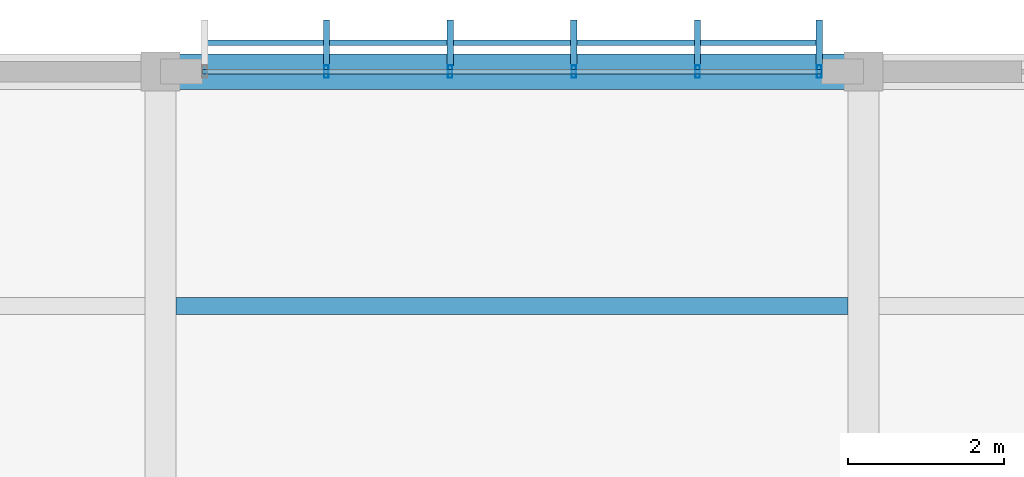
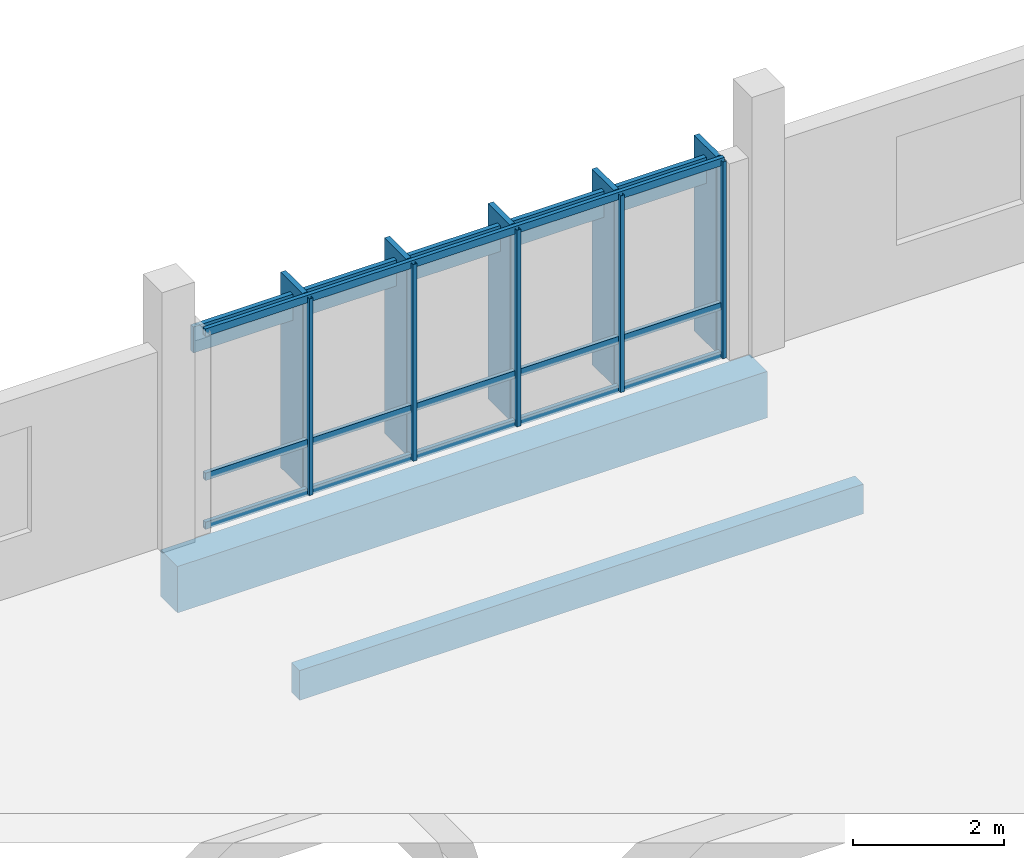
# One storey, part 138 of 182: 14 members, 2 beams, 1 element without a shape of its own.
"""IFC4 building model written with IfcOpenShell, lengths in metres."""

from ifc_helpers import new_model, si_unit, direction, frame, origin, origin_2d, place, context, subcontext, project, spatial, rectangle, hollow_rectangle, extrude, material, material_profile, profile_set, type_object, element, aggregate, save


model = new_model("IFC4")

# Units and contexts
model_context = context("Model", 3, precision=1e-05, world=origin(), true_north=direction((0.0, 1.0)))
body_context = subcontext(model_context, "Body", "Model", "MODEL_VIEW")
ifc_project = project(units=[si_unit("LENGTHUNIT", "METRE"), si_unit("AREAUNIT", "SQUARE_METRE"), si_unit("VOLUMEUNIT", "CUBIC_METRE"), si_unit("PLANEANGLEUNIT", "RADIAN"), si_unit("MASSUNIT", "GRAM", prefix="KILO")], contexts=[model_context])

# Site, building, storey
site_placement = place(None, origin())
site = spatial("IfcSite", under=ifc_project, at=site_placement, CompositionType="ELEMENT")
building_placement = place(site_placement, origin())
building = spatial("IfcBuilding", under=site, at=building_placement, Name="Chiffa Square Polytechnic", CompositionType="ELEMENT")
storey_placement = place(building_placement, frame((0.0, 0.0, 9.60009765625)))
storey = spatial("IfcBuildingStorey", under=building, at=storey_placement, Name="L02", CompositionType="ELEMENT", Elevation=9.60009765625)

# Beam
ifc_material_1 = material(Name="Concrete C35/45", Category="concrete")
ifc_material_profile_1 = material_profile(ifc_material_1, rectangle(XDim=0.449951171875, YDim=0.75, at=origin_2d()), Name="RC 450x750")
ifc_profile_set_1 = profile_set([ifc_material_profile_1], Name="Concrete C35/45")
beam_type_1 = type_object("IfcBeamType", Name="BM-RC-450X750", PredefinedType="BEAM", material=ifc_profile_set_1)
beam_1_placement = place(storey_placement, frame((130.199951171875, 130.800048828125, -0.695068359375), z_axis=(1.0, 0.0, 0.0), x_axis=(0.0, 1.0, 0.0)))
element("IfcBeam", 1, at=beam_1_placement, inside=storey, type_object=beam_type_1, Name="Primary floor girder BM-V5-L02-X-1302-1308", PredefinedType="BEAM", context=body_context, shape_type="SweptSolid", body=[
    extrude(rectangle(XDim=0.449951171875, YDim=0.75, at=origin_2d()), origin(), (0.0, 0.0, 1.0), 9.0),
])

# Curtain wall, members
ifc_material_2 = material(Name="Aluminium EN AW-6060 T66 and glulam shading", Category="wood")
curtain_wall_type = type_object("IfcCurtainWallType", Name="CW-VERT-600X440", PredefinedType="USERDEFINED", material=ifc_material_2)
curtain_wall_placement = place(storey_placement, origin())
curtain_wall = element("IfcCurtainWall", 2, at=curtain_wall_placement, inside=storey, type_object=curtain_wall_type, Name="Curtain wall CW-V5-L02-217", ObjectType="CURTAIN WALL", PredefinedType="USERDEFINED")
ifc_material_3 = material(Name="Aluminium EN AW-6060 T66", Category="aluminium")
ifc_material_profile_2 = material_profile(ifc_material_3, hollow_rectangle(XDim=0.06005859375, YDim=0.159912109375, WallThickness=0.00390625, at=origin_2d()), Name="ALU 60x160x4")
ifc_profile_set_2 = profile_set([ifc_material_profile_2], Name="Aluminium EN AW-6060 T66")
member_type_1 = type_object("IfcMemberType", Name="CWM-ALU-65X150", PredefinedType="MULLION", material=ifc_profile_set_2)
member_1_placement = place(storey_placement, frame((138.635009765625, 130.800048828125, 0.0), z_axis=(0.0, 0.0, 1.0), x_axis=(1.0, 0.0, 0.0)))
member_1 = element("IfcMember", 3, at=member_1_placement, type_object=member_type_1, Name="Curtain wall mullion CW-V5-L02-217-M00", PredefinedType="MULLION", context=body_context, shape_type="SweptSolid", body=[
    extrude(hollow_rectangle(XDim=0.06005859375, YDim=0.159912109375, WallThickness=0.00390625, at=origin_2d()), origin(), (0.0, 0.0, 1.0), 3.1748046875),
])
member_2_placement = place(storey_placement, frame((137.075927734375, 130.800048828125, 0.0), z_axis=(0.0, 0.0, 1.0), x_axis=(1.0, 0.0, 0.0)))
member_2 = element("IfcMember", 4, at=member_2_placement, type_object=member_type_1, Name="Curtain wall mullion CW-V5-L02-217-M01", PredefinedType="MULLION", context=body_context, shape_type="SweptSolid", body=[
    extrude(hollow_rectangle(XDim=0.06005859375, YDim=0.159912109375, WallThickness=0.00390625, at=origin_2d()), origin(), (0.0, 0.0, 1.0), 3.1748046875),
])
member_3_placement = place(storey_placement, frame((135.491943359375, 130.800048828125, 0.0), z_axis=(0.0, 0.0, 1.0), x_axis=(1.0, 0.0, 0.0)))
member_3 = element("IfcMember", 5, at=member_3_placement, type_object=member_type_1, Name="Curtain wall mullion CW-V5-L02-217-M02", PredefinedType="MULLION", context=body_context, shape_type="SweptSolid", body=[
    extrude(hollow_rectangle(XDim=0.06005859375, YDim=0.159912109375, WallThickness=0.00390625, at=origin_2d()), origin(), (0.0, 0.0, 1.0), 3.1748046875),
])
member_4_placement = place(storey_placement, frame((133.907958984375, 130.800048828125, 0.0), z_axis=(0.0, 0.0, 1.0), x_axis=(1.0, 0.0, 0.0)))
member_4 = element("IfcMember", 6, at=member_4_placement, type_object=member_type_1, Name="Curtain wall mullion CW-V5-L02-217-M03", PredefinedType="MULLION", context=body_context, shape_type="SweptSolid", body=[
    extrude(hollow_rectangle(XDim=0.06005859375, YDim=0.159912109375, WallThickness=0.00390625, at=origin_2d()), origin(), (0.0, 0.0, 1.0), 3.1748046875),
])
member_5_placement = place(storey_placement, frame((132.323974609375, 130.800048828125, 0.0), z_axis=(0.0, 0.0, 1.0), x_axis=(1.0, 0.0, 0.0)))
member_5 = element("IfcMember", 7, at=member_5_placement, type_object=member_type_1, Name="Curtain wall mullion CW-V5-L02-217-M04", PredefinedType="MULLION", context=body_context, shape_type="SweptSolid", body=[
    extrude(hollow_rectangle(XDim=0.06005859375, YDim=0.159912109375, WallThickness=0.00390625, at=origin_2d()), origin(), (0.0, 0.0, 1.0), 3.1748046875),
])
ifc_material_4 = material(Name="Glulam GL28h", Category="wood")
ifc_material_profile_3 = material_profile(ifc_material_4, rectangle(XDim=0.080078125, YDim=0.580078125, at=origin_2d()), Name="GL28h 80x580")
ifc_profile_set_3 = profile_set([ifc_material_profile_3], Name="Glulam GL28h")
member_type_2 = type_object("IfcMemberType", Name="CWM-GL-80X580", PredefinedType="MULLION", material=ifc_profile_set_3)
member_6_placement = place(storey_placement, frame((138.635009765625, 131.172119140625, 0.010009765625), z_axis=(0.0, 0.0, 1.0), x_axis=(-1.0, 0.0, 0.0)))
member_6 = element("IfcMember", 8, at=member_6_placement, type_object=member_type_2, Name="Exterior glulam solar fin CW-V5-L02-217-FN00", PredefinedType="MULLION", context=body_context, shape_type="SweptSolid", body=[
    extrude(rectangle(XDim=0.080078125, YDim=0.580078125, at=origin_2d()), origin(), (0.0, 0.0, 1.0), 3.15478515625),
])
member_7_placement = place(storey_placement, frame((137.075927734375, 131.172119140625, 0.010009765625), z_axis=(0.0, 0.0, 1.0), x_axis=(-1.0, 0.0, 0.0)))
member_7 = element("IfcMember", 9, at=member_7_placement, type_object=member_type_2, Name="Exterior glulam solar fin CW-V5-L02-217-FN01", PredefinedType="MULLION", context=body_context, shape_type="SweptSolid", body=[
    extrude(rectangle(XDim=0.080078125, YDim=0.580078125, at=origin_2d()), origin(), (0.0, 0.0, 1.0), 3.15478515625),
])
member_8_placement = place(storey_placement, frame((135.491943359375, 131.172119140625, 0.010009765625), z_axis=(0.0, 0.0, 1.0), x_axis=(-1.0, 0.0, 0.0)))
member_8 = element("IfcMember", 10, at=member_8_placement, type_object=member_type_2, Name="Exterior glulam solar fin CW-V5-L02-217-FN02", PredefinedType="MULLION", context=body_context, shape_type="SweptSolid", body=[
    extrude(rectangle(XDim=0.080078125, YDim=0.580078125, at=origin_2d()), origin(), (0.0, 0.0, 1.0), 3.15478515625),
])
member_9_placement = place(storey_placement, frame((133.907958984375, 131.172119140625, 0.010009765625), z_axis=(0.0, 0.0, 1.0), x_axis=(-1.0, 0.0, 0.0)))
member_9 = element("IfcMember", 11, at=member_9_placement, type_object=member_type_2, Name="Exterior glulam solar fin CW-V5-L02-217-FN03", PredefinedType="MULLION", context=body_context, shape_type="SweptSolid", body=[
    extrude(rectangle(XDim=0.080078125, YDim=0.580078125, at=origin_2d()), origin(), (0.0, 0.0, 1.0), 3.15478515625),
])
member_10_placement = place(storey_placement, frame((132.323974609375, 131.172119140625, 0.010009765625), z_axis=(0.0, 0.0, 1.0), x_axis=(-1.0, 0.0, 0.0)))
member_10 = element("IfcMember", 12, at=member_10_placement, type_object=member_type_2, Name="Exterior glulam solar fin CW-V5-L02-217-FN04", PredefinedType="MULLION", context=body_context, shape_type="SweptSolid", body=[
    extrude(rectangle(XDim=0.080078125, YDim=0.580078125, at=origin_2d()), origin(), (0.0, 0.0, 1.0), 3.15478515625),
])
ifc_material_profile_4 = material_profile(ifc_material_3, hollow_rectangle(XDim=0.06005859375, YDim=0.1201171875, WallThickness=0.00390625, at=origin_2d()), Name="ALU 60x120x4")
ifc_profile_set_4 = profile_set([ifc_material_profile_4], Name="Aluminium EN AW-6060 T66")
member_type_3 = type_object("IfcMemberType", Name="CWT-ALU-65X120", PredefinedType="USERDEFINED", material=ifc_profile_set_4)
member_11_placement = place(storey_placement, frame((138.662109375, 130.800048828125, 0.02978515625), z_axis=(-1.0, 0.0, 0.0), x_axis=(0.0, -1.0, 0.0)))
member_11 = element("IfcMember", 13, at=member_11_placement, type_object=member_type_3, Name="Curtain wall transom CW-V5-L02-217-T01", ObjectType="TRANSOM", PredefinedType="USERDEFINED", context=body_context, shape_type="SweptSolid", body=[
    extrude(hollow_rectangle(XDim=0.06005859375, YDim=0.1201171875, WallThickness=0.00390625, at=origin_2d()), origin(), (0.0, 0.0, 1.0), 7.924072265625),
])
member_12_placement = place(storey_placement, frame((138.662109375, 130.800048828125, 0.81982421875), z_axis=(-1.0, 0.0, 0.0), x_axis=(0.0, -1.0, 0.0)))
member_12 = element("IfcMember", 14, at=member_12_placement, type_object=member_type_3, Name="Curtain wall transom CW-V5-L02-217-T02", ObjectType="TRANSOM", PredefinedType="USERDEFINED", context=body_context, shape_type="SweptSolid", body=[
    extrude(hollow_rectangle(XDim=0.06005859375, YDim=0.1201171875, WallThickness=0.00390625, at=origin_2d()), origin(), (0.0, 0.0, 1.0), 7.924072265625),
])
member_13_placement = place(storey_placement, frame((138.662109375, 130.800048828125, 3.14501953125), z_axis=(-1.0, 0.0, 0.0), x_axis=(0.0, -1.0, 0.0)))
member_13 = element("IfcMember", 15, at=member_13_placement, type_object=member_type_3, Name="Curtain wall transom CW-V5-L02-217-T03", ObjectType="TRANSOM", PredefinedType="USERDEFINED", context=body_context, shape_type="SweptSolid", body=[
    extrude(hollow_rectangle(XDim=0.06005859375, YDim=0.1201171875, WallThickness=0.00390625, at=origin_2d()), origin(), (0.0, 0.0, 1.0), 7.924072265625),
])
ifc_material_profile_5 = material_profile(ifc_material_4, rectangle(XDim=0.070068359375, YDim=0.419921875, at=origin_2d()), Name="GL28h 70x420")
ifc_profile_set_5 = profile_set([ifc_material_profile_5], Name="Glulam GL28h")
member_type_4 = type_object("IfcMemberType", Name="CWT-GL-70X420", PredefinedType="USERDEFINED", material=ifc_profile_set_5)
member_14_placement = place(storey_placement, frame((138.635009765625, 131.172119140625, 2.794921875), z_axis=(-1.0, 0.0, 0.0), x_axis=(0.0, -1.0, 0.0)))
member_14 = element("IfcMember", 16, at=member_14_placement, type_object=member_type_4, Name="Exterior glulam brise-soleil CW-V5-L02-217-BS01", ObjectType="TRANSOM", PredefinedType="USERDEFINED", context=body_context, shape_type="SweptSolid", body=[
    extrude(rectangle(XDim=0.070068359375, YDim=0.419921875, at=origin_2d()), origin(), (0.0, 0.0, 1.0), 7.8701171875),
])
aggregate(curtain_wall, [member_1, member_6, member_2, member_7, member_3, member_8, member_4, member_9, member_5, member_10, member_11, member_12, member_13, member_14])

# Beam
ifc_material_profile_6 = material_profile(ifc_material_4, rectangle(XDim=0.219970703125, YDim=0.47998046875, at=origin_2d()), Name="GL28h 220x480")
ifc_profile_set_6 = profile_set([ifc_material_profile_6], Name="Glulam GL28h")
beam_type_2 = type_object("IfcBeamType", Name="JST-GL-220X480", PredefinedType="JOIST", material=ifc_profile_set_6)
beam_2_placement = place(storey_placement, frame((130.39794921875, 127.800048828125, -0.56005859375), z_axis=(1.0, 0.0, 0.0), x_axis=(0.0, 1.0, 0.0)))
element("IfcBeam", 17, at=beam_2_placement, inside=storey, type_object=beam_type_2, Name="Secondary floor joist JST-V5-L02-1302-1278", PredefinedType="JOIST", context=body_context, shape_type="SweptSolid", body=[
    extrude(rectangle(XDim=0.219970703125, YDim=0.47998046875, at=origin_2d()), origin(), (0.0, 0.0, 1.0), 8.60400390625),
])

save(model, "model.ifc")
